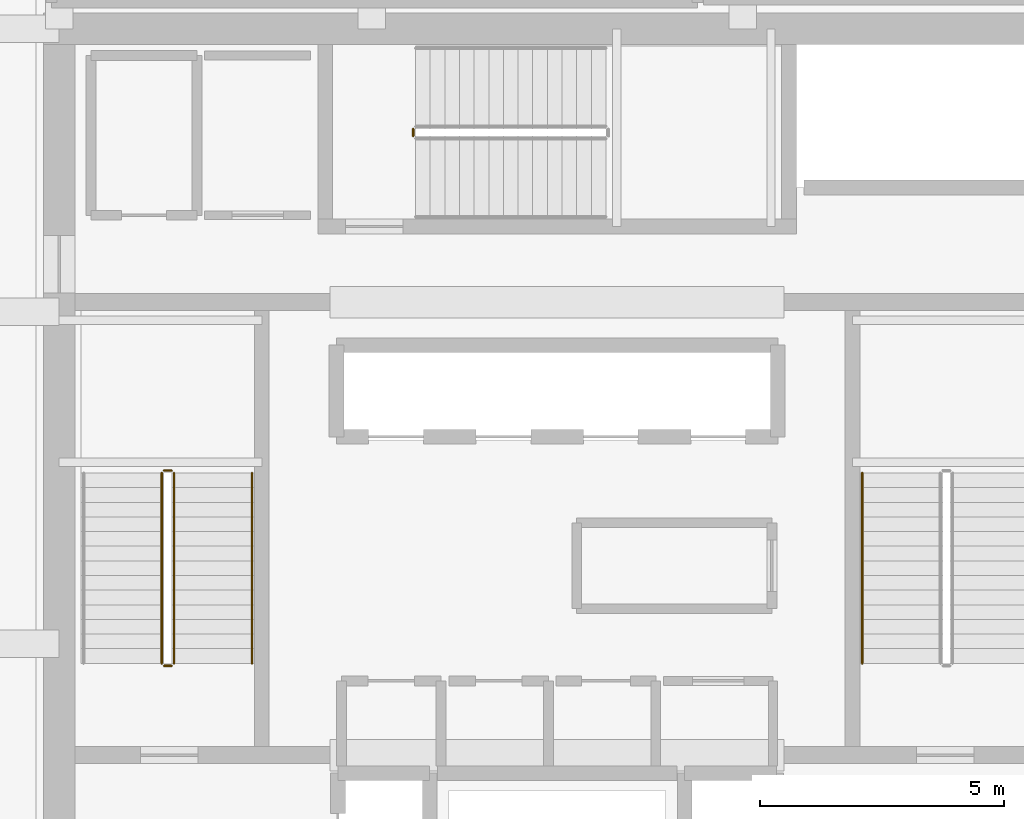
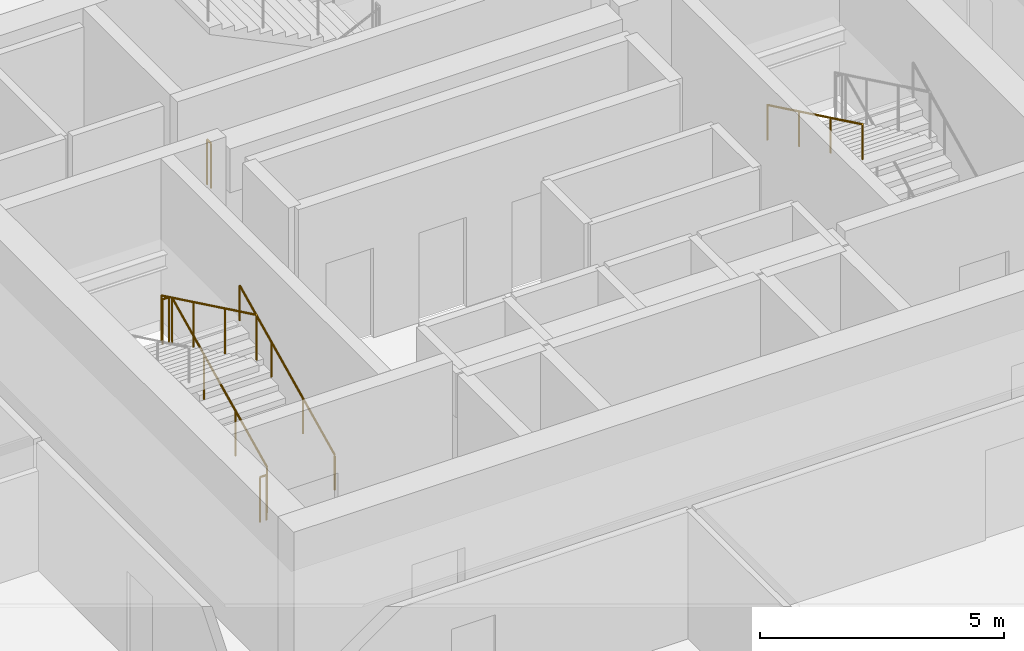
# One storey, part 20 of 29: 7 railings.
"""IFC4 building model written with IfcOpenShell, lengths in metres."""

from ifc_helpers import new_model, si_unit, direction, frame, origin, origin_2d, place, context, subcontext, project, spatial, circle, extrude, material, type_object, element, save


model = new_model("IFC4")

# Units and contexts
model_context = context("Model", 3, precision=1e-05, world=origin(), true_north=direction((0.0, 1.0)))
body_context = subcontext(model_context, "Body", "Model", "MODEL_VIEW")
ifc_project = project(units=[si_unit("LENGTHUNIT", "METRE"), si_unit("AREAUNIT", "SQUARE_METRE"), si_unit("VOLUMEUNIT", "CUBIC_METRE"), si_unit("PLANEANGLEUNIT", "RADIAN"), si_unit("MASSUNIT", "GRAM", prefix="KILO")], contexts=[model_context])

# Site, building, storey
site_placement = place(None, origin())
site = spatial("IfcSite", under=ifc_project, at=site_placement, CompositionType="ELEMENT")
building_placement = place(site_placement, origin())
building = spatial("IfcBuilding", under=site, at=building_placement, Name="Punatoya Terracotta Tower", CompositionType="ELEMENT")
storey_placement = place(building_placement, frame((0.0, 0.0, 172.199951171875)))
storey = spatial("IfcBuildingStorey", under=building, at=storey_placement, Name="L40", CompositionType="ELEMENT", Elevation=172.199951171875)

# Railings
ifc_material = material(Name="Steel S355", Category="steel")
railing_type_1 = type_object("IfcRailingType", Name="RLG-GRD-1150", PredefinedType="GUARDRAIL", material=ifc_material)
railing_1_placement = place(storey_placement, frame((-7.85009765625, -3.800048828125, 0.144775390625)))
element("IfcRailing", 1, at=railing_1_placement, inside=storey, type_object=railing_type_1, Name="L40 ST-1 stair guard 1", PredefinedType="GUARDRAIL", context=body_context, shape_type="SweptSolid", body=[
    extrude(circle(Radius=0.02392578125, at=origin_2d()), frame((0.0, 0.0, 1.1259765625), z_axis=(0.0, 0.900773802044, 0.434288564841), x_axis=(-1.0, 0.0, 0.0)), (0.0, 0.0, 1.0), 4.329833984375),
    extrude(circle(Radius=0.02099609375, at=origin_2d()), origin(), (0.0, 0.0, 1.0), 1.101806640625),
    extrude(circle(Radius=0.02099609375, at=origin_2d()), frame((0.0, 1.300048828125, 0.626708984375)), (0.0, 0.0, 1.0), 1.101806640625),
    extrude(circle(Radius=0.02099609375, at=origin_2d()), frame((0.0, 2.60009765625, 1.253662109375)), (0.0, 0.0, 1.0), 1.101806640625),
    extrude(circle(Radius=0.02099609375, at=origin_2d()), frame((0.0, 3.900146484375, 1.88037109375)), (0.0, 0.0, 1.0), 1.101806640625),
])
railing_2_placement = place(storey_placement, frame((-7.89990234375, 0.14990234375, 2.025146484375)))
element("IfcRailing", 2, at=railing_2_placement, inside=storey, type_object=railing_type_1, Name="L40 ST-1 stair guard 2", PredefinedType="GUARDRAIL", context=body_context, shape_type="SweptSolid", body=[
    extrude(circle(Radius=0.02392578125, at=origin_2d()), frame((0.0, 0.0, 1.1259765625), z_axis=(-1.0, 0.0, 0.0), x_axis=(0.0, -1.0, 0.0)), (0.0, 0.0, 1.0), 0.150146484375),
    extrude(circle(Radius=0.02099609375, at=origin_2d()), origin(), (0.0, 0.0, 1.0), 1.101806640625),
    extrude(circle(Radius=0.02099609375, at=origin_2d()), frame((-0.150146484375, 0.0, 0.0)), (0.0, 0.0, 1.0), 1.101806640625),
])
railing_3_placement = place(storey_placement, frame((-8.10009765625, 0.10009765625, 2.169677734375)))
element("IfcRailing", 3, at=railing_3_placement, inside=storey, type_object=railing_type_1, Name="L40 ST-1 stair guard 3", PredefinedType="GUARDRAIL", context=body_context, shape_type="SweptSolid", body=[
    extrude(circle(Radius=0.02392578125, at=origin_2d()), frame((0.0, 0.0, 1.1259765625), z_axis=(0.0, -0.900773802044, 0.434288564841), x_axis=(1.0, 0.0, 0.0)), (0.0, 0.0, 1.0), 4.329833984375),
    extrude(circle(Radius=0.02099609375, at=origin_2d()), origin(), (0.0, 0.0, 1.0), 1.101806640625),
    extrude(circle(Radius=0.02099609375, at=origin_2d()), frame((0.0, -1.300048828125, 0.626708984375)), (0.0, 0.0, 1.0), 1.101806640625),
    extrude(circle(Radius=0.02099609375, at=origin_2d()), frame((0.0, -2.60009765625, 1.253662109375)), (0.0, 0.0, 1.0), 1.101806640625),
    extrude(circle(Radius=0.02099609375, at=origin_2d()), frame((0.0, -3.900146484375, 1.88037109375)), (0.0, 0.0, 1.0), 1.101806640625),
])
railing_4_placement = place(storey_placement, frame((-7.89990234375, -3.85009765625, 0.0)))
element("IfcRailing", 4, at=railing_4_placement, inside=storey, type_object=railing_type_1, Name="L40 ST-1 stair guard 4", PredefinedType="GUARDRAIL", context=body_context, shape_type="SweptSolid", body=[
    extrude(circle(Radius=0.02392578125, at=origin_2d()), frame((0.0, 0.0, 1.1259765625), z_axis=(-1.0, 0.0, 0.0), x_axis=(0.0, -1.0, 0.0)), (0.0, 0.0, 1.0), 0.150146484375),
    extrude(circle(Radius=0.02099609375, at=origin_2d()), origin(), (0.0, 0.0, 1.0), 1.101806640625),
    extrude(circle(Radius=0.02099609375, at=origin_2d()), frame((-0.150146484375, 0.0, 0.0)), (0.0, 0.0, 1.0), 1.101806640625),
])
railing_5_placement = place(storey_placement, frame((-2.949951171875, 7.0, 0.0)))
element("IfcRailing", 5, at=railing_5_placement, inside=storey, type_object=railing_type_1, Name="L40 ST-3 stair guard 4", PredefinedType="GUARDRAIL", context=body_context, shape_type="SweptSolid", body=[
    extrude(circle(Radius=0.02392578125, at=origin_2d()), frame((0.0, 0.0, 1.1259765625), z_axis=(0.0, 1.0, 0.0), x_axis=(-1.0, 0.0, 0.0)), (0.0, 0.0, 1.0), 0.14990234375),
    extrude(circle(Radius=0.02099609375, at=origin_2d()), origin(), (0.0, 0.0, 1.0), 1.101806640625),
    extrude(circle(Radius=0.02099609375, at=origin_2d()), frame((0.0, 0.14990234375, 0.0)), (0.0, 0.0, 1.0), 1.101806640625),
])
railing_type_2 = type_object("IfcRailingType", Name="RLG-HND-900", PredefinedType="HANDRAIL", material=ifc_material)
railing_6_placement = place(storey_placement, frame((-6.25, -3.800048828125, 0.144775390625)))
element("IfcRailing", 6, at=railing_6_placement, inside=storey, type_object=railing_type_2, Name="L40 ST-1 stair handrail 1", PredefinedType="HANDRAIL", context=body_context, shape_type="SweptSolid", body=[
    extrude(circle(Radius=0.02392578125, at=origin_2d()), frame((0.0, 0.0, 0.8759765625), z_axis=(0.0, 0.900773802044, 0.434288564841), x_axis=(-1.0, 0.0, 0.0)), (0.0, 0.0, 1.0), 4.329833984375),
    extrude(circle(Radius=0.02099609375, at=origin_2d()), origin(), (0.0, 0.0, 1.0), 0.851806640625),
    extrude(circle(Radius=0.02099609375, at=origin_2d()), frame((0.0, 1.300048828125, 0.626708984375)), (0.0, 0.0, 1.0), 0.851806640625),
    extrude(circle(Radius=0.02099609375, at=origin_2d()), frame((0.0, 2.60009765625, 1.253662109375)), (0.0, 0.0, 1.0), 0.851806640625),
    extrude(circle(Radius=0.02099609375, at=origin_2d()), frame((0.0, 3.900146484375, 1.88037109375)), (0.0, 0.0, 1.0), 0.851806640625),
])
railing_7_placement = place(storey_placement, frame((6.25, 0.10009765625, 2.169677734375)))
element("IfcRailing", 7, at=railing_7_placement, inside=storey, type_object=railing_type_2, Name="L40 ST-2 stair handrail 2", PredefinedType="HANDRAIL", context=body_context, shape_type="SweptSolid", body=[
    extrude(circle(Radius=0.02392578125, at=origin_2d()), frame((0.0, 0.0, 0.8759765625), z_axis=(0.0, -0.900773802044, 0.434288564841), x_axis=(1.0, 0.0, 0.0)), (0.0, 0.0, 1.0), 4.329833984375),
    extrude(circle(Radius=0.02099609375, at=origin_2d()), origin(), (0.0, 0.0, 1.0), 0.851806640625),
    extrude(circle(Radius=0.02099609375, at=origin_2d()), frame((0.0, -1.300048828125, 0.626708984375)), (0.0, 0.0, 1.0), 0.851806640625),
    extrude(circle(Radius=0.02099609375, at=origin_2d()), frame((0.0, -2.60009765625, 1.253662109375)), (0.0, 0.0, 1.0), 0.851806640625),
    extrude(circle(Radius=0.02099609375, at=origin_2d()), frame((0.0, -3.900146484375, 1.88037109375)), (0.0, 0.0, 1.0), 0.851806640625),
])

save(model, "model.ifc")
